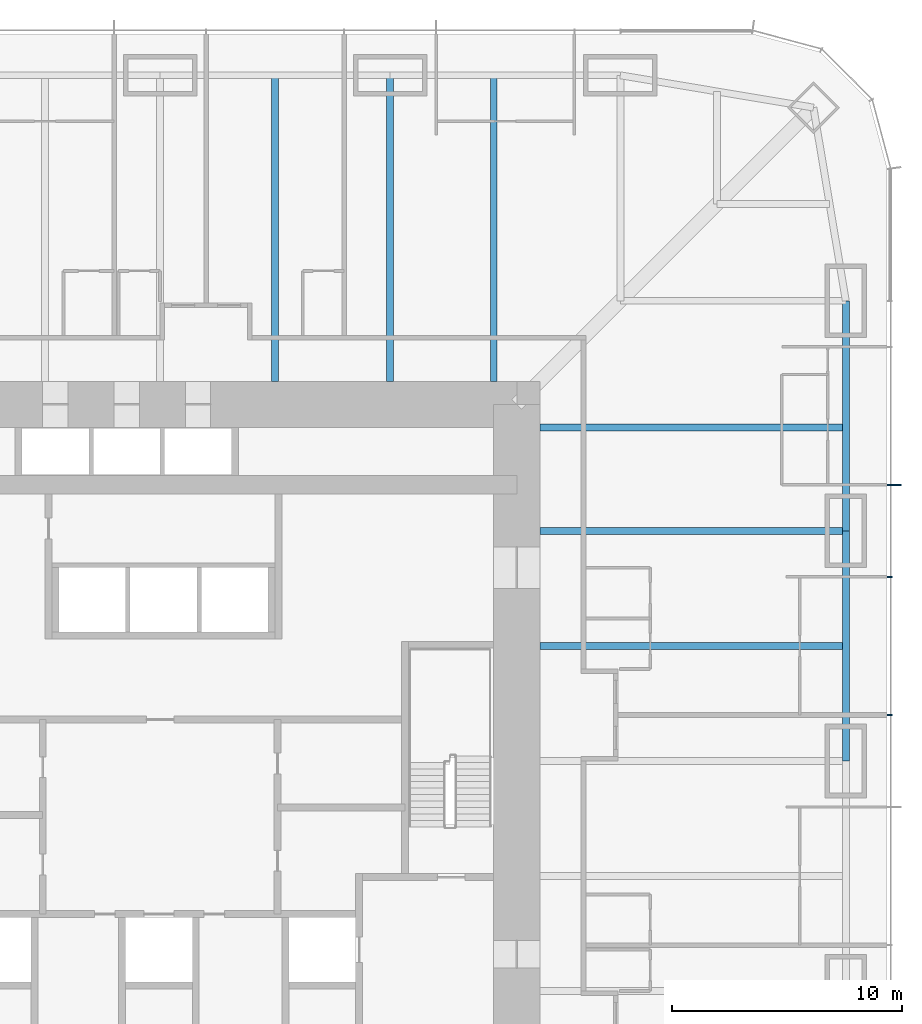
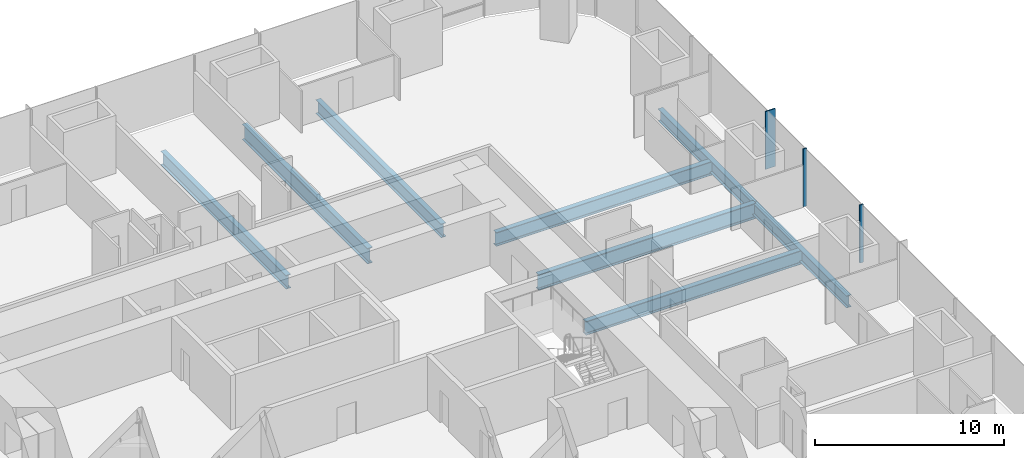
# One storey, part 8 of 17: 8 beams, 3 members, 1 element without a shape of its own.
"""IFC4 building model written with IfcOpenShell, lengths in metres."""

from ifc_helpers import new_model, si_unit, direction, frame, origin, origin_2d, place, context, subcontext, project, spatial, rectangle, i_section, extrude, material, material_profile, profile_set, type_object, element, aggregate, save


model = new_model("IFC4")

# Units and contexts
model_context = context("Model", 3, precision=1e-05, world=origin(), true_north=direction((0.0, 1.0)))
body_context = subcontext(model_context, "Body", "Model", "MODEL_VIEW")
ifc_project = project(units=[si_unit("LENGTHUNIT", "METRE"), si_unit("AREAUNIT", "SQUARE_METRE"), si_unit("VOLUMEUNIT", "CUBIC_METRE"), si_unit("PLANEANGLEUNIT", "RADIAN"), si_unit("MASSUNIT", "GRAM", prefix="KILO")], contexts=[model_context])

# Site, building, storey
site_placement = place(None, origin())
site = spatial("IfcSite", under=ifc_project, at=site_placement, CompositionType="ELEMENT")
building_placement = place(site_placement, origin())
building = spatial("IfcBuilding", under=site, at=building_placement, Name="Khuree Lantern Residences", CompositionType="ELEMENT")
storey_placement = place(building_placement, frame((0.0, 0.0, 43.5)))
storey = spatial("IfcBuildingStorey", under=building, at=storey_placement, Name="L10", CompositionType="ELEMENT", Elevation=43.5)

# Beams
ifc_material_1 = material(Name="Steel S355", Category="steel")
ifc_material_profile_1 = material_profile(ifc_material_1, i_section(OverallWidth=0.300048828125, OverallDepth=0.889892578125, WebThickness=0.01611328125, FlangeThickness=0.030029296875, FilletRadius=0.030029296875, at=origin_2d()), Name="HE 900 A")
ifc_profile_set_1 = profile_set([ifc_material_profile_1], Name="Steel S355")
beam_type_1 = type_object("IfcBeamType", Name="B-12 SECONDARY BEAM HE 900 A", PredefinedType="BEAM", material=ifc_profile_set_1)
for number, where, z_axis, x_axis, name in (
    (1, (5.0, 29.800048828125, -0.695068359375), (0.0, -1.0, 0.0), (1.0, 0.0, 0.0), "Secondary beam N3"),
    (2, (14.5, 29.800048828125, -0.695068359375), (0.0, -1.0, 0.0), (1.0, 0.0, 0.0), "Secondary beam N4"),
    (3, (29.800048828125, 14.5, -0.695068359375), (-1.0, 0.0, 0.0), (0.0, -1.0, 0.0), "Secondary beam E2"),
    (4, (29.800048828125, 5.0, -0.695068359375), (-1.0, 0.0, 0.0), (0.0, -1.0, 0.0), "Secondary beam E3"),
):
    element("IfcBeam", number, at=place(storey_placement, frame(where, z_axis=z_axis, x_axis=x_axis)), inside=storey, type_object=beam_type_1, Name=name, PredefinedType="BEAM", context=body_context, shape_type="SweptSolid", body=[
        extrude(i_section(OverallWidth=0.300048828125, OverallDepth=0.889892578125, WebThickness=0.01611328125, FlangeThickness=0.030029296875, FilletRadius=0.030029296875, at=origin_2d()), origin(), (0.0, 0.0, 1.0), 13.300048828125),
    ])
ifc_material_profile_2 = material_profile(ifc_material_1, i_section(OverallWidth=0.300048828125, OverallDepth=0.7900390625, WebThickness=0.014892578125, FlangeThickness=0.028076171875, FilletRadius=0.030029296875, at=origin_2d()), Name="HE 800 A")
ifc_profile_set_2 = profile_set([ifc_material_profile_2], Name="Steel S355")
beam_type_2 = type_object("IfcBeamType", Name="E-12 SPANDREL BEAM HE 800 A", PredefinedType="SPANDREL", material=ifc_profile_set_2)
for number, where, z_axis, x_axis, name in (
    (5, (29.800048828125, 20.0, -0.64501953125), (0.0, -1.0, 0.0), (1.0, 0.0, 0.0), "Spandrel beam E2"),
    (6, (29.800048828125, 10.0, -0.64501953125), (0.0, -1.0, 0.0), (1.0, 0.0, 0.0), "Spandrel beam E3"),
):
    element("IfcBeam", number, at=place(storey_placement, frame(where, z_axis=z_axis, x_axis=x_axis)), inside=storey, type_object=beam_type_2, Name=name, PredefinedType="SPANDREL", context=body_context, shape_type="SweptSolid", body=[
        extrude(i_section(OverallWidth=0.300048828125, OverallDepth=0.7900390625, WebThickness=0.014892578125, FlangeThickness=0.028076171875, FilletRadius=0.030029296875, at=origin_2d()), origin(), (0.0, 0.0, 1.0), 10.0),
    ])

# Curtain wall, member
ifc_material_2 = material(Name="Bronze anodised aluminium", Category="aluminium")
curtain_wall_type = type_object("IfcCurtainWallType", Name="CW-T1 TOWER FACE CURTAIN WALL", PredefinedType="USERDEFINED", material=ifc_material_2)
curtain_wall_placement = place(storey_placement, origin())
curtain_wall = element("IfcCurtainWall", 7, at=curtain_wall_placement, inside=storey, type_object=curtain_wall_type, Name="L10 EAST FACE CURTAIN WALL", ObjectType="Stick-built curtain wall", PredefinedType="USERDEFINED")
ifc_material_profile_3 = material_profile(ifc_material_2, rectangle(XDim=0.06494140625, YDim=0.60009765625, at=origin_2d()), Name="F1 65X600")
ifc_profile_set_3 = profile_set([ifc_material_profile_3], Name="Bronze anodised aluminium")
member_type_1 = type_object("IfcMemberType", Name="F1 BRONZE FIN MULLION TOWER 65X600", PredefinedType="MULLION", material=ifc_profile_set_3)
member_1_placement = place(storey_placement, frame((31.89990234375, 12.0, 0.0), z_axis=(0.0, 0.0, 1.0), x_axis=(0.0, 1.0, 0.0)))
member_1 = element("IfcMember", 8, at=member_1_placement, type_object=member_type_1, Name="L10 EAST FACE FIN MULLION 12", PredefinedType="MULLION", context=body_context, shape_type="SweptSolid", body=[
    extrude(rectangle(XDim=0.06494140625, YDim=0.60009765625, at=origin_2d()), origin(), (0.0, 0.0, 1.0), 3.75),
])

# Beams
ifc_material_profile_4 = material_profile(ifc_material_1, i_section(OverallWidth=0.302001953125, OverallDepth=1.008056640625, WebThickness=0.02099609375, FlangeThickness=0.0400390625, FilletRadius=0.030029296875, at=origin_2d()), Name="HE 1000 M")
ifc_profile_set_4 = profile_set([ifc_material_profile_4], Name="Steel S355")
beam_type_3 = type_object("IfcBeamType", Name="G-12 GIRDER HE 1000 M", PredefinedType="BEAM", material=ifc_profile_set_4)
for number, where, z_axis, x_axis, name in (
    (9, (10.0, 29.800048828125, -0.75390625), (0.0, -1.0, 0.0), (1.0, 0.0, 0.0), "Girder N4"),
    (10, (29.800048828125, 10.0, -0.75390625), (-1.0, 0.0, 0.0), (0.0, -1.0, 0.0), "Girder E2"),
):
    element("IfcBeam", number, at=place(storey_placement, frame(where, z_axis=z_axis, x_axis=x_axis)), inside=storey, type_object=beam_type_3, Name=name, PredefinedType="BEAM", context=body_context, shape_type="SweptSolid", body=[
        extrude(i_section(OverallWidth=0.302001953125, OverallDepth=1.008056640625, WebThickness=0.02099609375, FlangeThickness=0.0400390625, FilletRadius=0.030029296875, at=origin_2d()), origin(), (0.0, 0.0, 1.0), 13.300048828125),
    ])

# Member
ifc_material_profile_5 = material_profile(ifc_material_2, rectangle(XDim=0.06494140625, YDim=0.219970703125, at=origin_2d()), Name="M1 65X220")
ifc_profile_set_5 = profile_set([ifc_material_profile_5], Name="Bronze anodised aluminium")
member_type_2 = type_object("IfcMemberType", Name="M1 BRONZE MULLION TOWER 65X220", PredefinedType="MULLION", material=ifc_profile_set_5)
member_2_placement = place(storey_placement, frame((31.7099609375, 2.0, 0.0), z_axis=(0.0, 0.0, 1.0), x_axis=(0.0, 1.0, 0.0)))
member_2 = element("IfcMember", 11, at=member_2_placement, type_object=member_type_2, Name="L10 EAST FACE MULLION 10", PredefinedType="MULLION", context=body_context, shape_type="SweptSolid", body=[
    extrude(rectangle(XDim=0.06494140625, YDim=0.219970703125, at=origin_2d()), origin(), (0.0, 0.0, 1.0), 3.75),
])

member_3_placement = place(storey_placement, frame((31.7099609375, 8.0, 0.0), z_axis=(0.0, 0.0, 1.0), x_axis=(0.0, 1.0, 0.0)))
member_3 = element("IfcMember", 12, at=member_3_placement, type_object=member_type_2, Name="L10 EAST FACE MULLION 11", PredefinedType="MULLION", context=body_context, shape_type="SweptSolid", body=[
    extrude(rectangle(XDim=0.06494140625, YDim=0.219970703125, at=origin_2d()), origin(), (0.0, 0.0, 1.0), 3.75),
])

aggregate(curtain_wall, [member_2, member_3, member_1])

save(model, "model.ifc")
